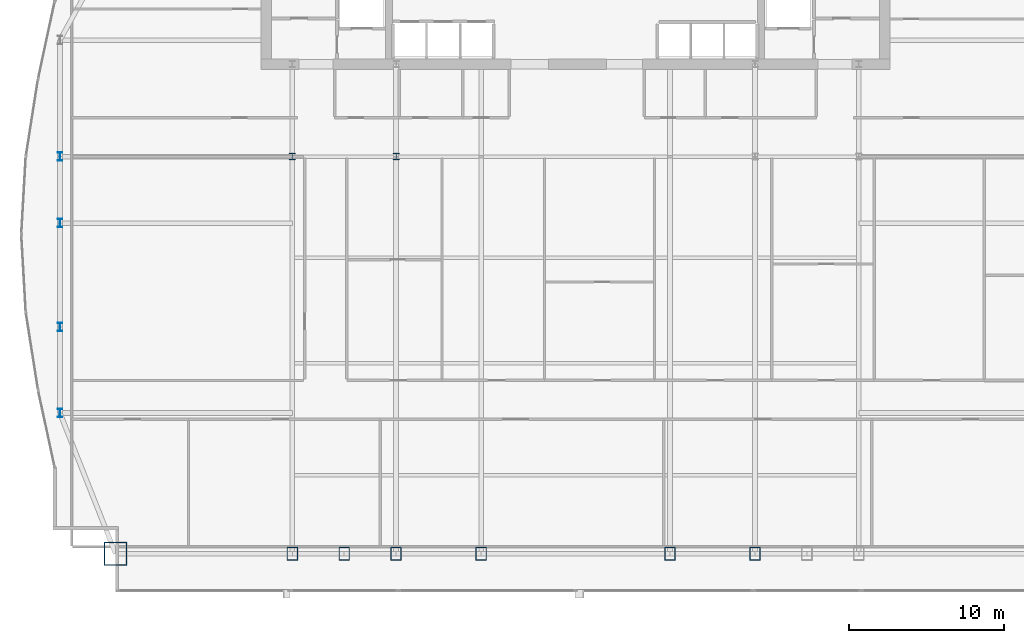
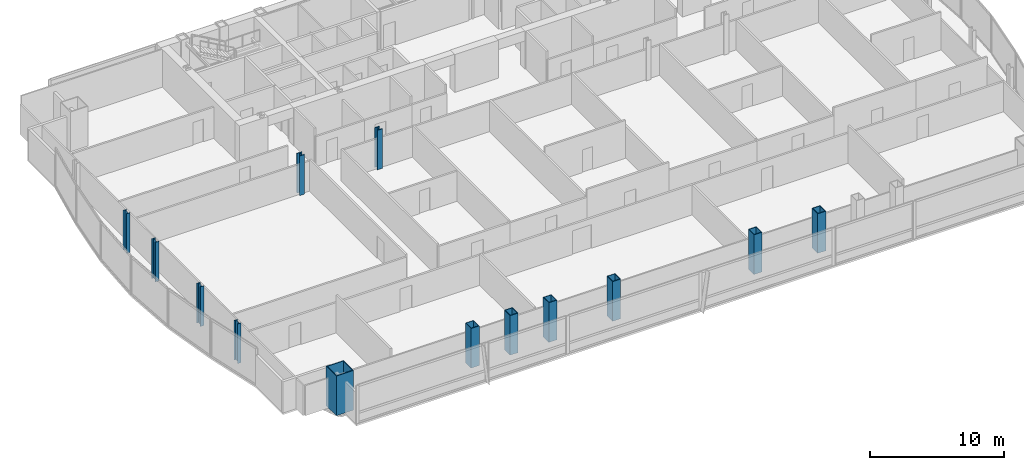
# One storey, part 1 of 32: 13 columns.
"""IFC4 building model written with IfcOpenShell, lengths in metres."""

from ifc_helpers import new_model, si_unit, direction, frame, origin, origin_2d, place, context, subcontext, project, spatial, hollow_rectangle, i_section, extrude, material, material_profile, profile_set, type_object, element, save


model = new_model("IFC4")

# Units and contexts
model_context = context("Model", 3, precision=1e-05, world=origin(), true_north=direction((0.0, 1.0)))
body_context = subcontext(model_context, "Body", "Model", "MODEL_VIEW")
ifc_project = project(units=[si_unit("LENGTHUNIT", "METRE"), si_unit("AREAUNIT", "SQUARE_METRE"), si_unit("VOLUMEUNIT", "CUBIC_METRE"), si_unit("PLANEANGLEUNIT", "RADIAN"), si_unit("MASSUNIT", "GRAM", prefix="KILO")], contexts=[model_context])

# Site, building, storey
site_placement = place(None, origin())
site = spatial("IfcSite", under=ifc_project, at=site_placement, CompositionType="ELEMENT")
building_placement = place(site_placement, origin())
building = spatial("IfcBuilding", under=site, at=building_placement, Name="Khoronbel Lancet Exchange", CompositionType="ELEMENT")
storey_placement = place(building_placement, frame((0.0, 0.0, 111.0)))
storey = spatial("IfcBuildingStorey", under=building, at=storey_placement, Name="L26", CompositionType="ELEMENT", Elevation=111.0)

# Columns
ifc_material_1 = material(Name="Steel S460", Category="steel")
ifc_material_profile_1 = material_profile(ifc_material_1, hollow_rectangle(XDim=0.699951171875, YDim=0.85009765625, WallThickness=0.050048828125, at=origin_2d()), Name="BOX 850x700x50")
ifc_profile_set_1 = profile_set([ifc_material_profile_1], Name="Steel S460")
column_type_1 = type_object("IfcColumnType", Name="COL-EC2", PredefinedType="COLUMN", material=ifc_profile_set_1)
for number, where, z_axis, x_axis, name in (
    (1, (18.22509765625, 10.14990234375, 0.0), (0.0, 0.0, 1.0), (1.0, 0.0, 0.0), "Structural column SC-W1 L26"),
    (2, (21.5625, 10.14990234375, 0.0), (0.0, 0.0, 1.0), (1.0, 0.0, 0.0), "Structural column SC-WM L26"),
    (3, (24.89990234375, 10.14990234375, 0.0), (0.0, 0.0, 1.0), (1.0, 0.0, 0.0), "Structural column SC-W2 L26"),
    (4, (30.375, 10.14990234375, 0.0), (0.0, 0.0, 1.0), (1.0, 0.0, 0.0), "Structural column SC-C1 L26"),
    (5, (42.52490234375, 10.14990234375, 0.0), (0.0, 0.0, 1.0), (1.0, 0.0, 0.0), "Structural column SC-C2 L26"),
    (6, (48.0, 10.14990234375, 0.0), (0.0, 0.0, 1.0), (1.0, 0.0, 0.0), "Structural column SC-E1 L26"),
):
    element("IfcColumn", number, at=place(storey_placement, frame(where, z_axis=z_axis, x_axis=x_axis)), inside=storey, type_object=column_type_1, Name=name, PredefinedType="COLUMN", context=body_context, shape_type="SweptSolid", body=[
        extrude(hollow_rectangle(XDim=0.699951171875, YDim=0.85009765625, WallThickness=0.050048828125, at=origin_2d()), origin(), (0.0, 0.0, 1.0), 3.60009765625),
    ])
ifc_material_profile_2 = material_profile(ifc_material_1, i_section(OverallWidth=0.416015625, OverallDepth=0.446044921875, WebThickness=0.0390625, FlangeThickness=0.062744140625, at=origin_2d()), Name="HD 400x509")
ifc_profile_set_2 = profile_set([ifc_material_profile_2], Name="Steel S460")
column_type_2 = type_object("IfcColumnType", Name="COL-IC2", PredefinedType="COLUMN", material=ifc_profile_set_2)
for number, where, z_axis, x_axis, name in (
    (7, (18.22509765625, 35.699951171875, 0.0), (0.0, 0.0, 1.0), (1.0, 0.0, 0.0), "Spine gravity column TC1 L26"),
    (8, (24.89990234375, 35.699951171875, 0.0), (0.0, 0.0, 1.0), (1.0, 0.0, 0.0), "Spine gravity column TC2 L26"),
):
    element("IfcColumn", number, at=place(storey_placement, frame(where, z_axis=z_axis, x_axis=x_axis)), inside=storey, type_object=column_type_2, Name=name, PredefinedType="COLUMN", context=body_context, shape_type="SweptSolid", body=[
        extrude(i_section(OverallWidth=0.416015625, OverallDepth=0.446044921875, WebThickness=0.0390625, FlangeThickness=0.062744140625, at=origin_2d()), origin(), (0.0, 0.0, 1.0), 3.60009765625),
    ])
ifc_material_2 = material(Name="Steel S355", Category="steel")
ifc_material_profile_3 = material_profile(ifc_material_2, i_section(OverallWidth=0.300048828125, OverallDepth=0.550048828125, WebThickness=0.014892578125, FlangeThickness=0.029052734375, at=origin_2d()), Name="HEB 550")
ifc_profile_set_3 = profile_set([ifc_material_profile_3], Name="Steel S355")
column_type_3 = type_object("IfcColumnType", Name="COL-LC1", PredefinedType="COLUMN", material=ifc_profile_set_3)
for number, where, z_axis, x_axis, name in (
    (9, (3.27001953125, 19.199951171875, 0.0), (0.0, 0.0, 1.0), (1.0, 0.0, 0.0), "Structural column WC-1 L26"),
    (10, (3.27001953125, 24.75, 0.0), (0.0, 0.0, 1.0), (1.0, 0.0, 0.0), "Structural column WC-2 L26"),
    (11, (3.27001953125, 31.425048828125, 0.0), (0.0, 0.0, 1.0), (1.0, 0.0, 0.0), "Structural column WC-M L26"),
    (12, (3.27001953125, 35.699951171875, 0.0), (0.0, 0.0, 1.0), (1.0, 0.0, 0.0), "Structural column WC-3 L26"),
):
    element("IfcColumn", number, at=place(storey_placement, frame(where, z_axis=z_axis, x_axis=x_axis)), inside=storey, type_object=column_type_3, Name=name, PredefinedType="COLUMN", context=body_context, shape_type="SweptSolid", body=[
        extrude(i_section(OverallWidth=0.300048828125, OverallDepth=0.550048828125, WebThickness=0.014892578125, FlangeThickness=0.029052734375, at=origin_2d()), origin(), (0.0, 0.0, 1.0), 3.60009765625),
    ])
ifc_material_profile_4 = material_profile(ifc_material_1, hollow_rectangle(XDim=1.5, YDim=1.5, WallThickness=0.070068359375, at=origin_2d()), Name="BOX 1500x1500x70")
ifc_profile_set_4 = profile_set([ifc_material_profile_4], Name="Steel S460")
column_type_4 = type_object("IfcColumnType", Name="COL-MC3", PredefinedType="COLUMN", material=ifc_profile_set_4)
column_placement = place(storey_placement, frame((6.85009765625, 10.14990234375, 0.0), z_axis=(0.0, 0.0, 1.0), x_axis=(1.0, 0.0, 0.0)))
element("IfcColumn", 13, at=column_placement, inside=storey, type_object=column_type_4, Name="Structural column MC-SW L26", PredefinedType="COLUMN", context=body_context, shape_type="SweptSolid", body=[
    extrude(hollow_rectangle(XDim=1.5, YDim=1.5, WallThickness=0.070068359375, at=origin_2d()), origin(), (0.0, 0.0, 1.0), 3.60009765625),
])

save(model, "model.ifc")
